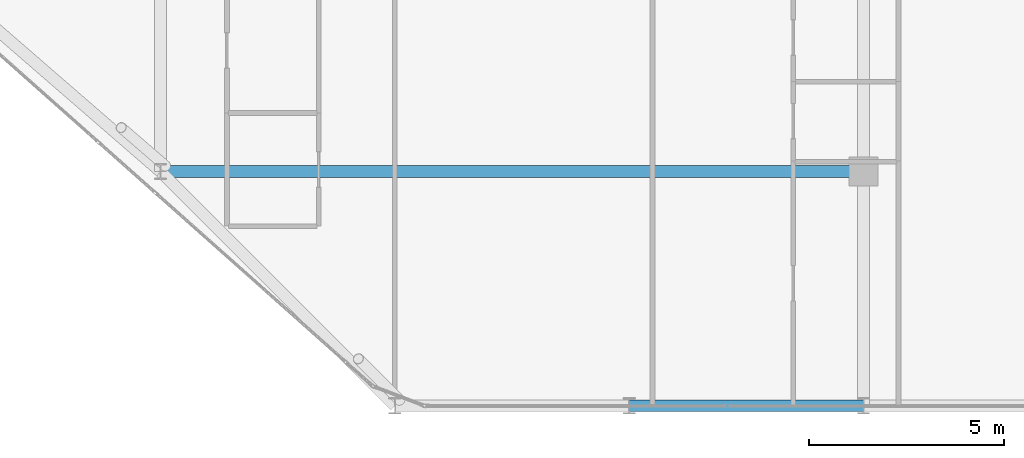
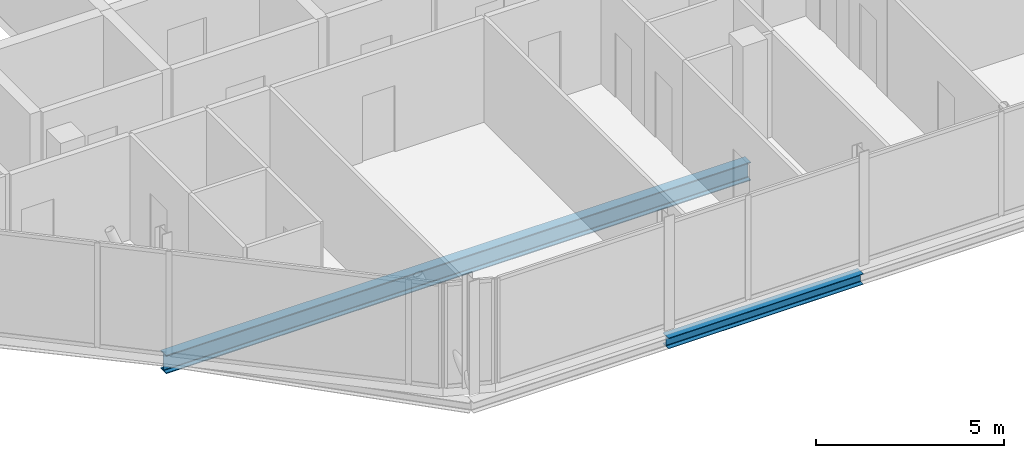
# One storey, part 7 of 31: 2 beams.
"""IFC4 building model written with IfcOpenShell, lengths in metres."""

import ifcopenshell
import ifcopenshell.guid

model = None  # the IFC model being written
_history = None  # IfcOwnerHistory: only IFC2X3 demands one
_inside = {}  # id of a spatial element -> (the spatial element, [elements in it])
_under = {}  # id of a project, library or spatial element -> (it, [spatial elements below it])
_declared = {}  # id of a project -> (the project, [libraries it declares])
_typed = {}  # id of a type object -> (the type object, [elements of that type])
_made_of = {}  # id of a material, layer set ... -> (it, [elements and type objects made of it])


def new_model(schema):
    """Start an empty IFC model of exactly this schema.

    Asked for "IFC4X3", IfcOpenShell would pick the latest addendum, in which some entities
    have other attributes; the version numbers below select the first issue.
    IFC2X3 requires an IfcOwnerHistory on every rooted entity: one is made here for all.
    """
    global model, _history
    if schema == "IFC4X3":
        model = ifcopenshell.file(schema_version=(4, 3, 0, 0))
    else:
        model = ifcopenshell.file(schema=schema)
    _inside.clear()
    _under.clear()
    _declared.clear()
    _typed.clear()
    _made_of.clear()
    _history = None
    if model.schema == "IFC2X3":
        org = make("IfcOrganization", Name="unknown")
        user = make(
            "IfcPersonAndOrganization",
            ThePerson=make("IfcPerson", FamilyName="unknown"),
            TheOrganization=org,
        )
        app = make(
            "IfcApplication",
            ApplicationDeveloper=org,
            Version="unknown",
            ApplicationFullName="unknown",
            ApplicationIdentifier="unknown",
        )
        _history = make(
            "IfcOwnerHistory",
            OwningUser=user,
            OwningApplication=app,
            ChangeAction="ADDED",
            CreationDate=0,
        )
    return model


def make(cls, **values):
    """One entity of the class cls with the attributes given. An attribute that is None is left unset."""
    return model.create_entity(
        cls, **{name: value for name, value in values.items() if value is not None}
    )


def rooted(cls, **values):
    """An entity with a GlobalId (a new one), such as an element, a storey or a relation."""
    return make(cls, GlobalId=ifcopenshell.guid.new(), OwnerHistory=_history, **values)


def si_unit(unit_type, name, prefix=None):
    """IfcSIUnit, for example si_unit("LENGTHUNIT", "METRE", prefix="MILLI")."""
    return make("IfcSIUnit", UnitType=unit_type, Prefix=prefix, Name=name)


def assignment(units):
    """IfcUnitAssignment: the units of a project."""
    return None if units is None else make("IfcUnitAssignment", Units=units)


def point(xyz):
    """IfcCartesianPoint."""
    return None if xyz is None else make("IfcCartesianPoint", Coordinates=xyz)


def direction(xyz):
    """IfcDirection."""
    return None if xyz is None else make("IfcDirection", DirectionRatios=xyz)


def frame(location, z_axis=None, x_axis=None):
    """IfcAxis2Placement3D, a coordinate frame: its origin and axes. An axis left out is left unset."""
    return make(
        "IfcAxis2Placement3D",
        Location=point(location),
        Axis=direction(z_axis),
        RefDirection=direction(x_axis),
    )


def frame_2d(location, x_axis=None):
    """IfcAxis2Placement2D, a coordinate frame in the plane: its origin and x axis."""
    return make(
        "IfcAxis2Placement2D", Location=point(location), RefDirection=direction(x_axis)
    )


def origin():
    """The frame at (0, 0, 0) with its axes left unset."""
    return frame((0.0, 0.0, 0.0))


def origin_2d():
    """The frame at (0, 0) in the plane with its x axis left unset."""
    return frame_2d((0.0, 0.0))


def place(relative_to, where):
    """IfcLocalPlacement: puts the frame where relative to a parent placement (None: the world)."""
    return make(
        "IfcLocalPlacement", PlacementRelTo=relative_to, RelativePlacement=where
    )


def context(
    kind, dimensions, precision=None, world=None, true_north=None, identifier=None
):
    """IfcGeometricRepresentationContext, for example the 3D "Model" context."""
    return make(
        "IfcGeometricRepresentationContext",
        ContextIdentifier=identifier,
        ContextType=kind,
        CoordinateSpaceDimension=dimensions,
        Precision=precision,
        WorldCoordinateSystem=world,
        TrueNorth=true_north,
    )


def subcontext(parent, identifier, kind, view, scale=None):
    """IfcGeometricRepresentationSubContext, for example "Body" below "Model"."""
    return make(
        "IfcGeometricRepresentationSubContext",
        ContextIdentifier=identifier,
        ContextType=kind,
        ParentContext=parent,
        TargetScale=scale,
        TargetView=view,
    )


def project(units=None, contexts=None):
    """IfcProject with its units and contexts."""
    return rooted(
        "IfcProject",
        Name="project",
        RepresentationContexts=contexts,
        UnitsInContext=assignment(units),
    )


def spatial(cls, under=None, at=None, **own):
    """A site, building, storey or space (cls), placed at a placement, below another one or the project."""
    s = rooted(cls, ObjectPlacement=at, **own)
    if under is not None:
        _under.setdefault(under.id(), (under, []))[1].append(s)
    return s


def profile(cls, at=None, kind="AREA", **sizes):
    """A parametric profile (cls). Its sizes go by their IFC names, for example OverallWidth=200.0."""
    return make(cls, ProfileType=kind, Position=at, **sizes)


def i_section(**sizes):
    """IfcIShapeProfileDef."""
    return profile("IfcIShapeProfileDef", **sizes)


def extrude(swept, where, along, depth):
    """IfcExtrudedAreaSolid: the profile swept, set in the frame where, extruded along a direction by depth."""
    return make(
        "IfcExtrudedAreaSolid",
        SweptArea=swept,
        Position=where,
        ExtrudedDirection=direction(along),
        Depth=depth,
    )


def shape(context_of_items, identifier, shape_type, items):
    """IfcShapeRepresentation: the items that make up one representation, for example the "Body"."""
    return make(
        "IfcShapeRepresentation",
        ContextOfItems=context_of_items,
        RepresentationIdentifier=identifier,
        RepresentationType=shape_type,
        Items=items,
    )


def material(Name=None, Category=None):
    """IfcMaterial."""
    return make("IfcMaterial", Name=Name, Category=Category)


def material_profile(
    of_material, cross_section, Name=None, Category=None, Priority=None
):
    """IfcMaterialProfile: a cross section and its material."""
    return make(
        "IfcMaterialProfile",
        Name=Name,
        Material=of_material,
        Profile=cross_section,
        Priority=Priority,
        Category=Category,
    )


def profile_set(profiles, Name=None, composite=None):
    """IfcMaterialProfileSet."""
    return make(
        "IfcMaterialProfileSet",
        Name=Name,
        MaterialProfiles=profiles,
        CompositeProfile=composite,
    )


def made_of(thing, what):
    """Note that an element or type object is made of a material, layer set ...; save() writes the relation."""
    if what is not None:
        _made_of.setdefault(what.id(), (what, []))[1].append(thing)
    return thing


def type_object(cls, material=None, **own):
    """A type object (cls), such as IfcWallType, which elements share."""
    return made_of(rooted(cls, **own), material)


def element(
    cls,
    number,
    at=None,
    inside=None,
    cuts=None,
    type_object=None,
    material=None,
    context=None,
    identifier="Body",
    shape_type=None,
    held_by="IfcProductDefinitionShape",
    body=None,
    shapes=None,
    **own,
):
    """One element of the class cls, such as IfcWall. Its Tag is "e" and its number.

    at: its placement. inside: the storey or other place that contains it. cuts: it is an
    opening in that element (IfcRelVoidsElement). A single representation is given by context,
    identifier, shape_type and body (its items); several are given by shapes. held_by: the class
    of the entity that holds the representations. save() writes the other relations.
    """
    e = rooted(cls, Tag="e%d" % number, ObjectPlacement=at, **own)
    if body is not None:
        shapes = [shape(context, identifier, shape_type, body)]
    if shapes is not None:
        e.Representation = make(held_by, Representations=shapes)
    if inside is not None:
        _inside.setdefault(inside.id(), (inside, []))[1].append(e)
    if cuts is not None:
        rooted(
            "IfcRelVoidsElement", RelatingBuildingElement=cuts, RelatedOpeningElement=e
        )
    if type_object is not None:
        _typed.setdefault(type_object.id(), (type_object, []))[1].append(e)
    return made_of(e, material)


def aggregate(whole, parts):
    """IfcRelAggregates: a whole, such as a stair, and the parts it consists of."""
    return rooted("IfcRelAggregates", RelatingObject=whole, RelatedObjects=parts)


def save(model, path):
    """Write the relations noted so far, then the file.

    IfcRelAggregates (storeys below a building ...), IfcRelContainedInSpatialStructure (elements
    in a storey), IfcRelDefinesByType, IfcRelAssociatesMaterial and IfcRelDeclares: one each for
    every whole, place, type object, material and project.
    """
    for whole, parts in _under.values():
        aggregate(whole, parts)
    for where, things in _inside.values():
        rooted(
            "IfcRelContainedInSpatialStructure",
            RelatedElements=things,
            RelatingStructure=where,
        )
    for kind, things in _typed.values():
        rooted("IfcRelDefinesByType", RelatedObjects=things, RelatingType=kind)
    for what, things in _made_of.values():
        rooted("IfcRelAssociatesMaterial", RelatedObjects=things, RelatingMaterial=what)
    for by, libraries in _declared.values():
        rooted("IfcRelDeclares", RelatingContext=by, RelatedDefinitions=libraries)
    model.write(path)


model = new_model("IFC4")

# Units and contexts
model_context = context("Model", 3, precision=1e-05, world=origin(), true_north=direction((0.0, 1.0)))
body_context = subcontext(model_context, "Body", "Model", "MODEL_VIEW")
ifc_project = project(units=[si_unit("LENGTHUNIT", "METRE"), si_unit("AREAUNIT", "SQUARE_METRE"), si_unit("VOLUMEUNIT", "CUBIC_METRE"), si_unit("PLANEANGLEUNIT", "RADIAN"), si_unit("MASSUNIT", "GRAM", prefix="KILO")], contexts=[model_context])

# Site, building, storey
site_placement = place(None, origin())
site = spatial("IfcSite", under=ifc_project, at=site_placement, CompositionType="ELEMENT")
building_placement = place(site_placement, origin())
building = spatial("IfcBuilding", under=site, at=building_placement, Name="Keshet Zoharim Tower", CompositionType="ELEMENT")
storey_placement = place(building_placement, frame((0.0, 0.0, 276.89990234375)))
storey = spatial("IfcBuildingStorey", under=building, at=storey_placement, Name="L69", CompositionType="ELEMENT", Elevation=276.89990234375)

# Beams
ifc_material = material(Name="Steel S355", Category="steel")
ifc_material_profile_1 = material_profile(ifc_material, i_section(OverallWidth=0.300048828125, OverallDepth=0.60009765625, WebThickness=0.015380859375, FlangeThickness=0.030029296875, FilletRadius=0.027099609375, at=origin_2d()), Name="HEB600")
ifc_profile_set_1 = profile_set([ifc_material_profile_1], Name="Steel S355")
beam_type_1 = type_object("IfcBeamType", Name="BM-LNG-HB600", PredefinedType="BEAM", material=ifc_profile_set_1)
beam_1_placement = place(storey_placement, frame((15.0, 12.699951171875, -0.60986328125), z_axis=(1.0, 0.0, 0.0), x_axis=(0.0, 1.0, 0.0)))
element("IfcBeam", 1, at=beam_1_placement, inside=storey, type_object=beam_type_1, Name="L69 Primary Girder X-004", PredefinedType="BEAM", context=body_context, shape_type="SweptSolid", body=[
    extrude(i_section(OverallWidth=0.300048828125, OverallDepth=0.60009765625, WebThickness=0.015380859375, FlangeThickness=0.030029296875, FilletRadius=0.027099609375, at=origin_2d()), origin(), (0.0, 0.0, 1.0), 18.0),
])
ifc_material_profile_2 = material_profile(ifc_material, i_section(OverallWidth=0.300048828125, OverallDepth=0.35009765625, WebThickness=0.010009765625, FlangeThickness=0.017578125, FilletRadius=0.027099609375, at=origin_2d()), Name="HEA360")
ifc_profile_set_2 = profile_set([ifc_material_profile_2], Name="Steel S355")
beam_type_2 = type_object("IfcBeamType", Name="BM-PRI-HA360", PredefinedType="BEAM", material=ifc_profile_set_2)
beam_2_placement = place(storey_placement, frame((27.0, 6.699951171875, -0.48486328125), z_axis=(1.0, 0.0, 0.0), x_axis=(0.0, 1.0, 0.0)))
element("IfcBeam", 2, at=beam_2_placement, inside=storey, type_object=beam_type_2, Name="L69 Primary Girder X-002", PredefinedType="BEAM", context=body_context, shape_type="SweptSolid", body=[
    extrude(i_section(OverallWidth=0.300048828125, OverallDepth=0.35009765625, WebThickness=0.010009765625, FlangeThickness=0.017578125, FilletRadius=0.027099609375, at=origin_2d()), origin(), (0.0, 0.0, 1.0), 6.0),
])

save(model, "model.ifc")
